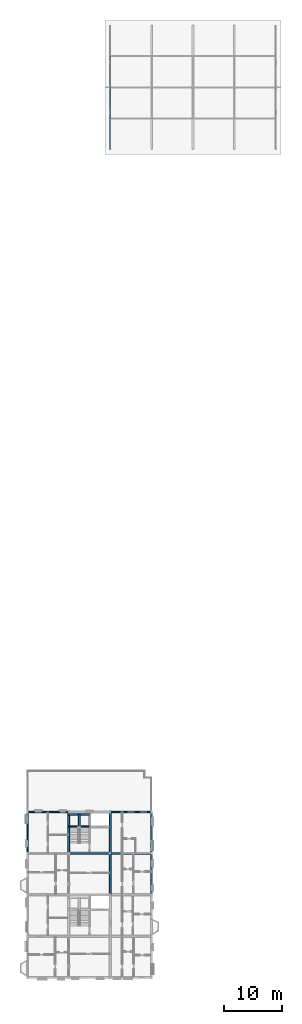
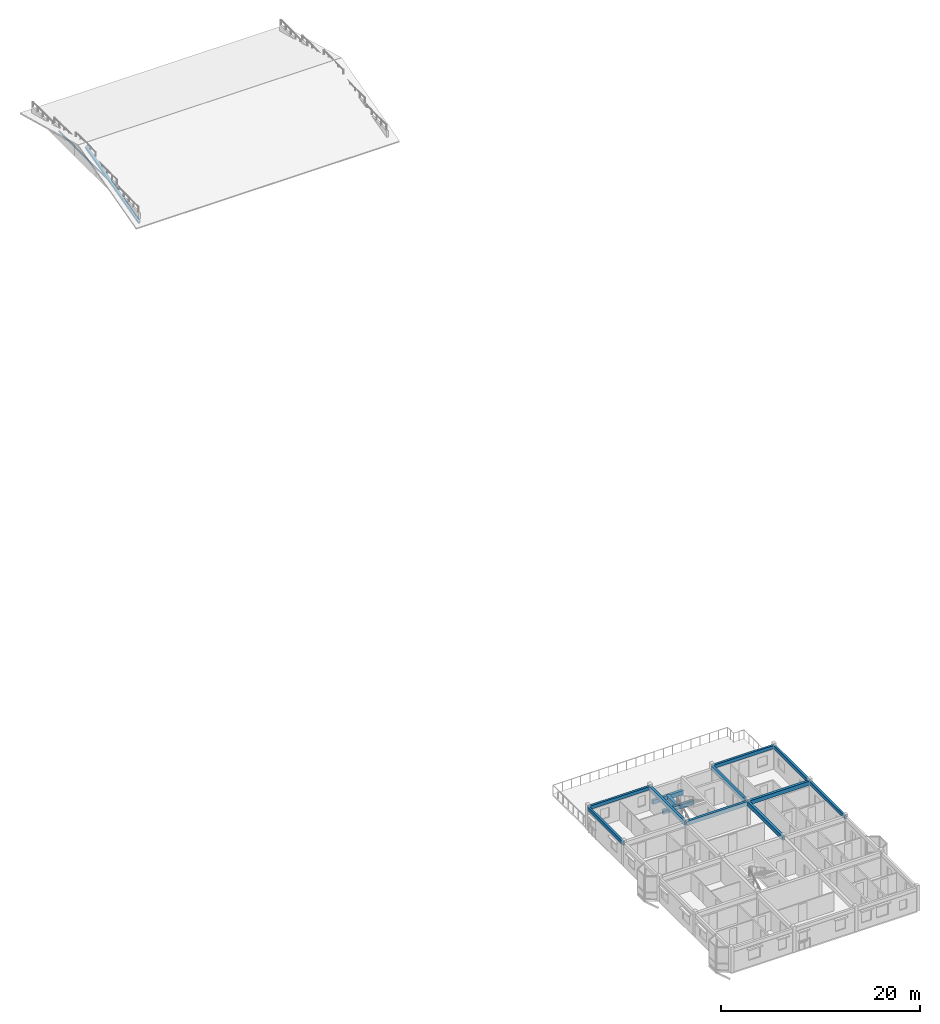
# One storey, part 8 of 22: 13 beams, 2 members.
"""IFC4 building model written with IfcOpenShell, lengths in metres."""

import ifcopenshell
import ifcopenshell.guid

model = None  # the IFC model being written
_history = None  # IfcOwnerHistory: only IFC2X3 demands one
_inside = {}  # id of a spatial element -> (the spatial element, [elements in it])
_under = {}  # id of a project, library or spatial element -> (it, [spatial elements below it])
_declared = {}  # id of a project -> (the project, [libraries it declares])
_typed = {}  # id of a type object -> (the type object, [elements of that type])
_made_of = {}  # id of a material, layer set ... -> (it, [elements and type objects made of it])


def new_model(schema):
    """Start an empty IFC model of exactly this schema.

    Asked for "IFC4X3", IfcOpenShell would pick the latest addendum, in which some entities
    have other attributes; the version numbers below select the first issue.
    IFC2X3 requires an IfcOwnerHistory on every rooted entity: one is made here for all.
    """
    global model, _history
    if schema == "IFC4X3":
        model = ifcopenshell.file(schema_version=(4, 3, 0, 0))
    else:
        model = ifcopenshell.file(schema=schema)
    _inside.clear()
    _under.clear()
    _declared.clear()
    _typed.clear()
    _made_of.clear()
    _history = None
    if model.schema == "IFC2X3":
        org = make("IfcOrganization", Name="unknown")
        user = make(
            "IfcPersonAndOrganization",
            ThePerson=make("IfcPerson", FamilyName="unknown"),
            TheOrganization=org,
        )
        app = make(
            "IfcApplication",
            ApplicationDeveloper=org,
            Version="unknown",
            ApplicationFullName="unknown",
            ApplicationIdentifier="unknown",
        )
        _history = make(
            "IfcOwnerHistory",
            OwningUser=user,
            OwningApplication=app,
            ChangeAction="ADDED",
            CreationDate=0,
        )
    return model


def make(cls, **values):
    """One entity of the class cls with the attributes given. An attribute that is None is left unset."""
    return model.create_entity(
        cls, **{name: value for name, value in values.items() if value is not None}
    )


def rooted(cls, **values):
    """An entity with a GlobalId (a new one), such as an element, a storey or a relation."""
    return make(cls, GlobalId=ifcopenshell.guid.new(), OwnerHistory=_history, **values)


def si_unit(unit_type, name, prefix=None):
    """IfcSIUnit, for example si_unit("LENGTHUNIT", "METRE", prefix="MILLI")."""
    return make("IfcSIUnit", UnitType=unit_type, Prefix=prefix, Name=name)


def assignment(units):
    """IfcUnitAssignment: the units of a project."""
    return None if units is None else make("IfcUnitAssignment", Units=units)


def point(xyz):
    """IfcCartesianPoint."""
    return None if xyz is None else make("IfcCartesianPoint", Coordinates=xyz)


def direction(xyz):
    """IfcDirection."""
    return None if xyz is None else make("IfcDirection", DirectionRatios=xyz)


def frame(location, z_axis=None, x_axis=None):
    """IfcAxis2Placement3D, a coordinate frame: its origin and axes. An axis left out is left unset."""
    return make(
        "IfcAxis2Placement3D",
        Location=point(location),
        Axis=direction(z_axis),
        RefDirection=direction(x_axis),
    )


def frame_2d(location, x_axis=None):
    """IfcAxis2Placement2D, a coordinate frame in the plane: its origin and x axis."""
    return make(
        "IfcAxis2Placement2D", Location=point(location), RefDirection=direction(x_axis)
    )


def origin():
    """The frame at (0, 0, 0) with its axes left unset."""
    return frame((0.0, 0.0, 0.0))


def origin_2d():
    """The frame at (0, 0) in the plane with its x axis left unset."""
    return frame_2d((0.0, 0.0))


def place(relative_to, where):
    """IfcLocalPlacement: puts the frame where relative to a parent placement (None: the world)."""
    return make(
        "IfcLocalPlacement", PlacementRelTo=relative_to, RelativePlacement=where
    )


def context(
    kind, dimensions, precision=None, world=None, true_north=None, identifier=None
):
    """IfcGeometricRepresentationContext, for example the 3D "Model" context."""
    return make(
        "IfcGeometricRepresentationContext",
        ContextIdentifier=identifier,
        ContextType=kind,
        CoordinateSpaceDimension=dimensions,
        Precision=precision,
        WorldCoordinateSystem=world,
        TrueNorth=true_north,
    )


def subcontext(parent, identifier, kind, view, scale=None):
    """IfcGeometricRepresentationSubContext, for example "Body" below "Model"."""
    return make(
        "IfcGeometricRepresentationSubContext",
        ContextIdentifier=identifier,
        ContextType=kind,
        ParentContext=parent,
        TargetScale=scale,
        TargetView=view,
    )


def project(units=None, contexts=None):
    """IfcProject with its units and contexts."""
    return rooted(
        "IfcProject",
        Name="project",
        RepresentationContexts=contexts,
        UnitsInContext=assignment(units),
    )


def spatial(cls, under=None, at=None, **own):
    """A site, building, storey or space (cls), placed at a placement, below another one or the project."""
    s = rooted(cls, ObjectPlacement=at, **own)
    if under is not None:
        _under.setdefault(under.id(), (under, []))[1].append(s)
    return s


def profile(cls, at=None, kind="AREA", **sizes):
    """A parametric profile (cls). Its sizes go by their IFC names, for example OverallWidth=200.0."""
    return make(cls, ProfileType=kind, Position=at, **sizes)


def rectangle(**sizes):
    """IfcRectangleProfileDef."""
    return profile("IfcRectangleProfileDef", **sizes)


def hollow_rectangle(**sizes):
    """IfcRectangleHollowProfileDef."""
    return profile("IfcRectangleHollowProfileDef", **sizes)


def i_section(**sizes):
    """IfcIShapeProfileDef."""
    return profile("IfcIShapeProfileDef", **sizes)


def extrude(swept, where, along, depth):
    """IfcExtrudedAreaSolid: the profile swept, set in the frame where, extruded along a direction by depth."""
    return make(
        "IfcExtrudedAreaSolid",
        SweptArea=swept,
        Position=where,
        ExtrudedDirection=direction(along),
        Depth=depth,
    )


def shape(context_of_items, identifier, shape_type, items):
    """IfcShapeRepresentation: the items that make up one representation, for example the "Body"."""
    return make(
        "IfcShapeRepresentation",
        ContextOfItems=context_of_items,
        RepresentationIdentifier=identifier,
        RepresentationType=shape_type,
        Items=items,
    )


def material(Name=None, Category=None):
    """IfcMaterial."""
    return make("IfcMaterial", Name=Name, Category=Category)


def material_profile(
    of_material, cross_section, Name=None, Category=None, Priority=None
):
    """IfcMaterialProfile: a cross section and its material."""
    return make(
        "IfcMaterialProfile",
        Name=Name,
        Material=of_material,
        Profile=cross_section,
        Priority=Priority,
        Category=Category,
    )


def profile_set(profiles, Name=None, composite=None):
    """IfcMaterialProfileSet."""
    return make(
        "IfcMaterialProfileSet",
        Name=Name,
        MaterialProfiles=profiles,
        CompositeProfile=composite,
    )


def made_of(thing, what):
    """Note that an element or type object is made of a material, layer set ...; save() writes the relation."""
    if what is not None:
        _made_of.setdefault(what.id(), (what, []))[1].append(thing)
    return thing


def type_object(cls, material=None, **own):
    """A type object (cls), such as IfcWallType, which elements share."""
    return made_of(rooted(cls, **own), material)


def element(
    cls,
    number,
    at=None,
    inside=None,
    cuts=None,
    type_object=None,
    material=None,
    context=None,
    identifier="Body",
    shape_type=None,
    held_by="IfcProductDefinitionShape",
    body=None,
    shapes=None,
    **own,
):
    """One element of the class cls, such as IfcWall. Its Tag is "e" and its number.

    at: its placement. inside: the storey or other place that contains it. cuts: it is an
    opening in that element (IfcRelVoidsElement). A single representation is given by context,
    identifier, shape_type and body (its items); several are given by shapes. held_by: the class
    of the entity that holds the representations. save() writes the other relations.
    """
    e = rooted(cls, Tag="e%d" % number, ObjectPlacement=at, **own)
    if body is not None:
        shapes = [shape(context, identifier, shape_type, body)]
    if shapes is not None:
        e.Representation = make(held_by, Representations=shapes)
    if inside is not None:
        _inside.setdefault(inside.id(), (inside, []))[1].append(e)
    if cuts is not None:
        rooted(
            "IfcRelVoidsElement", RelatingBuildingElement=cuts, RelatedOpeningElement=e
        )
    if type_object is not None:
        _typed.setdefault(type_object.id(), (type_object, []))[1].append(e)
    return made_of(e, material)


def aggregate(whole, parts):
    """IfcRelAggregates: a whole, such as a stair, and the parts it consists of."""
    return rooted("IfcRelAggregates", RelatingObject=whole, RelatedObjects=parts)


def save(model, path):
    """Write the relations noted so far, then the file.

    IfcRelAggregates (storeys below a building ...), IfcRelContainedInSpatialStructure (elements
    in a storey), IfcRelDefinesByType, IfcRelAssociatesMaterial and IfcRelDeclares: one each for
    every whole, place, type object, material and project.
    """
    for whole, parts in _under.values():
        aggregate(whole, parts)
    for where, things in _inside.values():
        rooted(
            "IfcRelContainedInSpatialStructure",
            RelatedElements=things,
            RelatingStructure=where,
        )
    for kind, things in _typed.values():
        rooted("IfcRelDefinesByType", RelatedObjects=things, RelatingType=kind)
    for what, things in _made_of.values():
        rooted("IfcRelAssociatesMaterial", RelatedObjects=things, RelatingMaterial=what)
    for by, libraries in _declared.values():
        rooted("IfcRelDeclares", RelatingContext=by, RelatedDefinitions=libraries)
    model.write(path)


model = new_model("IFC4")

# Units and contexts
model_context = context("Model", 3, precision=1e-05, world=origin(), true_north=direction((0.0, 1.0)))
body_context = subcontext(model_context, "Body", "Model", "MODEL_VIEW")
ifc_project = project(units=[si_unit("LENGTHUNIT", "METRE"), si_unit("AREAUNIT", "SQUARE_METRE"), si_unit("VOLUMEUNIT", "CUBIC_METRE"), si_unit("PLANEANGLEUNIT", "RADIAN"), si_unit("MASSUNIT", "GRAM", prefix="KILO"), si_unit("THERMODYNAMICTEMPERATUREUNIT", "KELVIN"), si_unit("POWERUNIT", "WATT")], contexts=[model_context])

# Site, building, storey
site_placement = place(None, origin())
site = spatial("IfcSite", under=ifc_project, at=site_placement, CompositionType="ELEMENT")
building_placement = place(site_placement, origin())
building = spatial("IfcBuilding", under=site, at=building_placement, Name="Tavuni Mirador Residences", CompositionType="ELEMENT")
storey_placement = place(building_placement, frame((0.0, 0.0, 45.449951171875)))
storey = spatial("IfcBuildingStorey", under=building, at=storey_placement, Name="L14", CompositionType="ELEMENT", Elevation=45.449951171875)

# Beams
ifc_material_1 = material(Name="Precast concrete C40/50", Category="concrete")
ifc_material_profile_1 = material_profile(ifc_material_1, rectangle(XDim=0.300048828125, YDim=0.5, at=origin_2d()), Name="PC 300x500", Category="concrete")
ifc_profile_set_1 = profile_set([ifc_material_profile_1], Name="Precast concrete C40/50")
beam_type_1 = type_object("IfcBeamType", Name="BT-B500", PredefinedType="BEAM", material=ifc_profile_set_1)
for number, where, z_axis, x_axis, name in (
    (1, (10.800048828125, 28.800048828125, 2.6201171875), (1.0, 0.0, 0.0), (0.0, 1.0, 0.0), "BMX-BLK-A-L14-01-03"),
    (2, (18.0, 28.800048828125, 2.6201171875), (1.0, 0.0, 0.0), (0.0, 1.0, 0.0), "BMX-BLK-A-L14-02-03"),
    (3, (10.800048828125, 28.800048828125, 2.6201171875), (0.0, 1.0, 0.0), (-1.0, 0.0, 0.0), "BMY-BLK-A-L14-01-03"),
    (4, (18.0, 21.60009765625, 2.6201171875), (0.0, 1.0, 0.0), (-1.0, 0.0, 0.0), "BMY-BLK-A-L14-02-02"),
    (5, (18.0, 28.800048828125, 2.6201171875), (0.0, 1.0, 0.0), (-1.0, 0.0, 0.0), "BMY-BLK-A-L14-02-03"),
):
    element("IfcBeam", number, at=place(storey_placement, frame(where, z_axis=z_axis, x_axis=x_axis)), inside=storey, type_object=beam_type_1, Name=name, PredefinedType="BEAM", context=body_context, shape_type="SweptSolid", body=[
        extrude(rectangle(XDim=0.300048828125, YDim=0.5, at=origin_2d()), origin(), (0.0, 0.0, 1.0), 7.199951171875),
    ])
for number, where, z_axis, x_axis, name in (
    (6, (10.800048828125, 33.5, 1.14501953125), (1.0, 0.0, 0.0), (0.0, 1.0, 0.0), "HLB1-C2-L14"),
    (7, (10.800048828125, 35.550048828125, 1.14501953125), (1.0, 0.0, 0.0), (0.0, 1.0, 0.0), "HLB2-C2-L14"),
):
    element("IfcBeam", number, at=place(storey_placement, frame(where, z_axis=z_axis, x_axis=x_axis)), inside=storey, type_object=beam_type_1, Name=name, PredefinedType="BEAM", context=body_context, shape_type="SweptSolid", body=[
        extrude(rectangle(XDim=0.300048828125, YDim=0.5, at=origin_2d()), origin(), (0.0, 0.0, 1.0), 3.599853515625),
    ])
beam_placement = place(storey_placement, frame((12.60009765625, 33.5, 1.14501953125), z_axis=(0.0, 1.0, 0.0), x_axis=(-1.0, 0.0, 0.0)))
element("IfcBeam", 8, at=beam_placement, inside=storey, type_object=beam_type_1, Name="HLB3-C2-L14", PredefinedType="BEAM", context=body_context, shape_type="SweptSolid", body=[
    extrude(rectangle(XDim=0.300048828125, YDim=0.5, at=origin_2d()), origin(), (0.0, 0.0, 1.0), 2.050048828125),
])
ifc_material_profile_2 = material_profile(ifc_material_1, rectangle(XDim=0.25, YDim=0.419921875, at=origin_2d()), Name="PC 250x420", Category="concrete")
ifc_profile_set_2 = profile_set([ifc_material_profile_2], Name="Precast concrete C40/50")
beam_type_2 = type_object("IfcBeamType", Name="BT-SP420", PredefinedType="SPANDREL", material=ifc_profile_set_2)
for number, where, z_axis, x_axis, name in (
    (9, (3.60009765625, 36.0, 2.66015625), (1.0, 0.0, 0.0), (0.0, 1.0, 0.0), "BMX-BLK-A-L14-00-04"),
    (10, (18.0, 36.0, 2.66015625), (1.0, 0.0, 0.0), (0.0, 1.0, 0.0), "BMX-BLK-A-L14-02-04"),
    (11, (3.60009765625, 28.800048828125, 2.66015625), (0.0, 1.0, 0.0), (-1.0, 0.0, 0.0), "BMY-BLK-A-L14-00-03"),
    (12, (25.199951171875, 21.60009765625, 2.66015625), (0.0, 1.0, 0.0), (-1.0, 0.0, 0.0), "BMY-BLK-A-L14-03-02"),
    (13, (25.199951171875, 28.800048828125, 2.66015625), (0.0, 1.0, 0.0), (-1.0, 0.0, 0.0), "BMY-BLK-A-L14-03-03"),
):
    element("IfcBeam", number, at=place(storey_placement, frame(where, z_axis=z_axis, x_axis=x_axis)), inside=storey, type_object=beam_type_2, Name=name, PredefinedType="SPANDREL", context=body_context, shape_type="SweptSolid", body=[
        extrude(rectangle(XDim=0.25, YDim=0.419921875, at=origin_2d()), origin(), (0.0, 0.0, 1.0), 7.199951171875),
    ])

# Members
ifc_material_2 = material(Name="Structural steel S355", Category="steel")
ifc_material_profile_3 = material_profile(ifc_material_2, hollow_rectangle(XDim=0.10009765625, YDim=0.14990234375, WallThickness=0.008056640625, at=origin_2d()), Name="RHS 150x100x8.0", Category="steel")
ifc_profile_set_3 = profile_set([ifc_material_profile_3], Name="Structural steel S355")
member_type_1 = type_object("IfcMemberType", Name="MT-BR-RHS150", PredefinedType="BRACE", material=ifc_profile_set_3)
member_1_placement = place(storey_placement, frame((18.0, 156.60009765625, 1.050048828125), z_axis=(0.0, 1.0, 0.0), x_axis=(-1.0, 0.0, 0.0)))
element("IfcMember", 14, at=member_1_placement, inside=storey, type_object=member_type_1, Name="RTIE-BLK-C-00", PredefinedType="BRACE", context=body_context, shape_type="SweptSolid", body=[
    extrude(hollow_rectangle(XDim=0.10009765625, YDim=0.14990234375, WallThickness=0.008056640625, at=origin_2d()), origin(), (0.0, 0.0, 1.0), 10.7998046875),
])
ifc_material_profile_4 = material_profile(ifc_material_2, i_section(OverallWidth=0.280029296875, OverallDepth=0.27001953125, WebThickness=0.008056640625, FlangeThickness=0.012939453125, FilletRadius=0.02392578125, at=origin_2d()), Name="HEA 280", Category="steel")
ifc_profile_set_4 = profile_set([ifc_material_profile_4], Name="Structural steel S355")
member_type_2 = type_object("IfcMemberType", Name="MT-CH-HEA280", PredefinedType="CHORD", material=ifc_profile_set_4)
member_2_placement = place(storey_placement, frame((18.0, 151.199951171875, -0.349853515625), z_axis=(0.0, 0.968001426323, 0.250944692386), x_axis=(-1.0, 0.0, 0.0)))
element("IfcMember", 15, at=member_2_placement, inside=storey, type_object=member_type_2, Name="RAF-BLK-C-00-S", PredefinedType="CHORD", context=body_context, shape_type="SweptSolid", body=[
    extrude(i_section(OverallWidth=0.280029296875, OverallDepth=0.27001953125, WebThickness=0.008056640625, FlangeThickness=0.012939453125, FilletRadius=0.02392578125, at=origin_2d()), origin(), (0.0, 0.0, 1.0), 11.156982421875),
])

save(model, "model.ifc")
